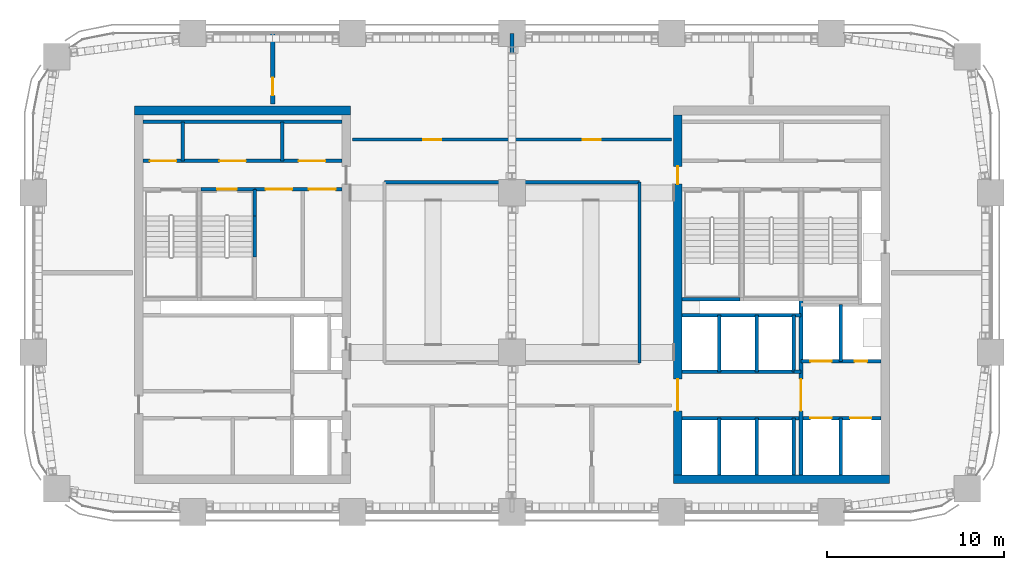
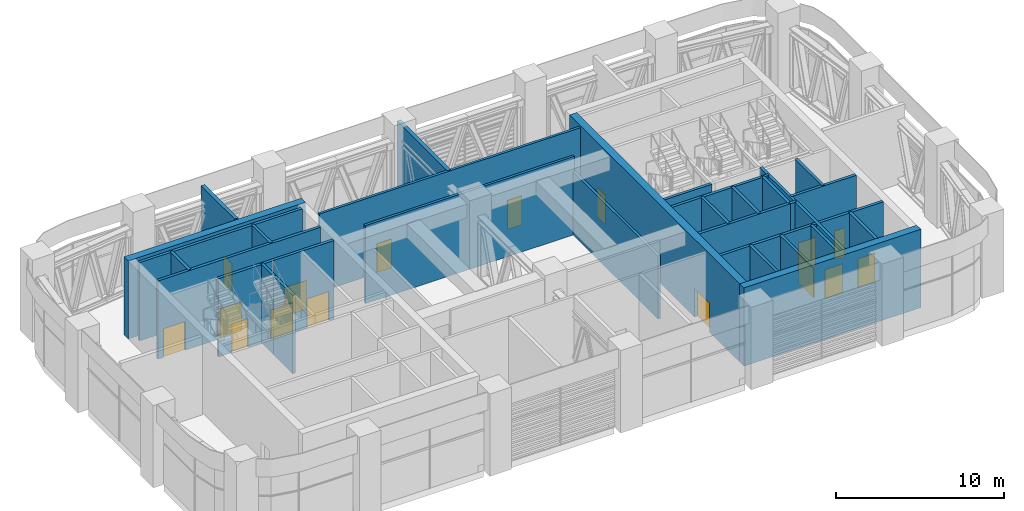
# One storey, part 13 of 19: 31 walls, 16 doors, 16 openings.
"""IFC4 building model written with IfcOpenShell, lengths in metres."""

from ifc_helpers import new_model, si_unit, direction, frame, frame_2d, origin, place, context, subcontext, project, spatial, rectangle, extrude, material, layer, layer_set, type_object, element, fill, save


model = new_model("IFC4")

# Units and contexts
model_context = context("Model", 3, precision=1e-05, world=origin(), true_north=direction((0.0, 1.0)))
body_context = subcontext(model_context, "Body", "Model", "MODEL_VIEW")
ifc_project = project(units=[si_unit("LENGTHUNIT", "METRE"), si_unit("AREAUNIT", "SQUARE_METRE"), si_unit("VOLUMEUNIT", "CUBIC_METRE"), si_unit("PLANEANGLEUNIT", "RADIAN"), si_unit("MASSUNIT", "GRAM", prefix="KILO")], contexts=[model_context])

# Site, building, storey
site_placement = place(None, origin())
site = spatial("IfcSite", under=ifc_project, at=site_placement, CompositionType="ELEMENT")
building_placement = place(site_placement, origin())
building = spatial("IfcBuilding", under=site, at=building_placement, Name="Tessera Arch", CompositionType="ELEMENT")
storey_placement = place(building_placement, frame((0.0, 0.0, 197.300048828125)))
storey = spatial("IfcBuildingStorey", under=building, at=storey_placement, Name="L47", CompositionType="ELEMENT", Elevation=197.300048828125)

# Walls
ifc_material_1 = material(Name="Gypsum board on steel stud", Category="steel")
ifc_layer_1 = layer(ifc_material_1, 0.125)
ifc_layer_set_1 = layer_set([ifc_layer_1], Name="Core partition 125 EI 60")
wall_type_1 = type_object("IfcWallType", Name="Core partition 125 EI 60", PredefinedType="PARTITIONING", material=ifc_layer_set_1)
wall_1_placement = place(storey_placement, frame((42.89990234375, 34.89990234375, 0.0), z_axis=(0.0, 0.0, 1.0), x_axis=(1.0, 0.0, 0.0)))
element("IfcWall", 1, at=wall_1_placement, inside=storey, type_object=wall_type_1, Name="L47 C1 partition wall 22", PredefinedType="PARTITIONING", context=body_context, shape_type="SweptSolid", body=[
    extrude(rectangle(XDim=0.400146484375, YDim=0.199951171875, at=frame_2d((0.2001953125, 0.0))), origin(), (0.0, 0.0, 1.0), 5.699951171875),
])
for number, where, z_axis, x_axis, name in (
    (2, (8.43994140625, 46.800048828125, 0.0), (0.0, 0.0, 1.0), (0.0, 1.0, 0.0), "L47 C2 partition wall 1"),
    (3, (14.0400390625, 46.800048828125, 0.0), (0.0, 0.0, 1.0), (0.0, 1.0, 0.0), "L47 C2 partition wall 9"),
):
    element("IfcWall", number, at=place(storey_placement, frame(where, z_axis=z_axis, x_axis=x_axis)), inside=storey, type_object=wall_type_1, Name=name, PredefinedType="PARTITIONING", context=body_context, shape_type="SweptSolid", body=[
        extrude(rectangle(XDim=2.199951171875, YDim=0.199951171875, at=frame_2d((1.10009765625, 0.0))), origin(), (0.0, 0.0, 1.0), 5.699951171875),
    ])

# Wall, openings, doors
wall_2_placement = place(storey_placement, frame((12.5, 45.199951171875, 0.0), z_axis=(0.0, 0.0, 1.0), x_axis=(1.0, 0.0, 0.0)))
wall_2 = element("IfcWall", 4, at=wall_2_placement, inside=storey, type_object=wall_type_1, Name="L47 C2 partition wall 25", PredefinedType="PARTITIONING", context=body_context, shape_type="SweptSolid", body=[
    extrude(rectangle(XDim=4.89990234375, YDim=0.199951171875, at=frame_2d((2.449951171875, 0.0))), origin(), (0.0, 0.0, 1.0), 5.699951171875),
])
opening_1_placement = place(wall_2_placement, frame((0.597412109375, 0.0, 0.0)))
opening_1 = element("IfcOpeningElement", 5, at=opening_1_placement, cuts=wall_2, Name="Opening L47-C25", PredefinedType="OPENING", context=body_context, shape_type="SweptSolid", body=[
    extrude(rectangle(XDim=1.5, YDim=2.10009765625, at=frame_2d((0.75, 1.050048828125))), frame((0.0, 0.10986328125, 0.0), z_axis=(0.0, -1.0, 0.0), x_axis=(1.0, 0.0, 0.0)), (0.0, 0.0, 1.0), 0.219970703125),
])
opening_2_placement = place(wall_2_placement, frame((3.047607421875, 0.0, 0.0)))
opening_2 = element("IfcOpeningElement", 6, at=opening_2_placement, cuts=wall_2, Name="Opening L47-C26", PredefinedType="OPENING", context=body_context, shape_type="SweptSolid", body=[
    extrude(rectangle(XDim=1.5, YDim=2.10009765625, at=frame_2d((0.75, 1.050048828125))), frame((0.0, 0.10986328125, 0.0), z_axis=(0.0, -1.0, 0.0), x_axis=(1.0, 0.0, 0.0)), (0.0, 0.0, 1.0), 0.219970703125),
])
ifc_material_2 = material(Name="Steel door leaf", Category="steel")
door_type_1 = type_object("IfcDoorType", Name="Plant door FD60 1500 x 2100", OperationType="DOUBLE_DOOR_SINGLE_SWING", PredefinedType="DOOR", material=ifc_material_2)
door_1_placement = place(opening_1_placement, origin())
door_1 = element("IfcDoor", 7, at=door_1_placement, inside=storey, type_object=door_type_1, Name="L47 C2 door 12 C25 type D08", OperationType="DOUBLE_DOOR_SINGLE_SWING", OverallHeight=2.10009765625, OverallWidth=1.5, PredefinedType="DOOR", context=body_context, shape_type="SweptSolid", body=[
    extrude(rectangle(XDim=1.5, YDim=2.10009765625, at=frame_2d((0.75, 1.050048828125))), frame((0.0, 0.02490234375, 0.0), z_axis=(0.0, -1.0, 0.0), x_axis=(1.0, 0.0, 0.0)), (0.0, 0.0, 1.0), 0.050048828125),
])
fill(opening_1, door_1)
door_2_placement = place(opening_2_placement, origin())
door_2 = element("IfcDoor", 8, at=door_2_placement, inside=storey, type_object=door_type_1, Name="L47 C2 door 13 C26 type D08", OperationType="DOUBLE_DOOR_SINGLE_SWING", OverallHeight=2.10009765625, OverallWidth=1.5, PredefinedType="DOOR", context=body_context, shape_type="SweptSolid", body=[
    extrude(rectangle(XDim=1.5, YDim=2.10009765625, at=frame_2d((0.75, 1.050048828125))), frame((0.0, 0.02490234375, 0.0), z_axis=(0.0, -1.0, 0.0), x_axis=(1.0, 0.0, 0.0)), (0.0, 0.0, 1.0), 0.050048828125),
])
fill(opening_2, door_2)

wall_3_placement = place(storey_placement, frame((6.199951171875, 46.800048828125, 0.0), z_axis=(0.0, 0.0, 1.0), x_axis=(1.0, 0.0, 0.0)))
wall_3 = element("IfcWall", 9, at=wall_3_placement, inside=storey, type_object=wall_type_1, Name="L47 C2 partition wall 29", PredefinedType="PARTITIONING", context=body_context, shape_type="SweptSolid", body=[
    extrude(rectangle(XDim=11.199951171875, YDim=0.199951171875, at=frame_2d((5.60009765625, 0.0))), origin(), (0.0, 0.0, 1.0), 5.699951171875),
])
opening_3_placement = place(wall_3_placement, frame((0.3701171875, 0.0, 0.0)))
opening_3 = element("IfcOpeningElement", 10, at=opening_3_placement, cuts=wall_3, Name="Opening L47-C22", PredefinedType="OPENING", context=body_context, shape_type="SweptSolid", body=[
    extrude(rectangle(XDim=1.5, YDim=2.10009765625, at=frame_2d((0.75, 1.050048828125))), frame((0.0, 0.10986328125, 0.0), z_axis=(0.0, -1.0, 0.0), x_axis=(1.0, 0.0, 0.0)), (0.0, 0.0, 1.0), 0.219970703125),
])
opening_4_placement = place(wall_3_placement, frame((4.2900390625, 0.0, 0.0)))
opening_4 = element("IfcOpeningElement", 11, at=opening_4_placement, cuts=wall_3, Name="Opening L47-C23", PredefinedType="OPENING", context=body_context, shape_type="SweptSolid", body=[
    extrude(rectangle(XDim=1.5, YDim=2.10009765625, at=frame_2d((0.75, 1.050048828125))), frame((0.0, 0.10986328125, 0.0), z_axis=(0.0, -1.0, 0.0), x_axis=(1.0, 0.0, 0.0)), (0.0, 0.0, 1.0), 0.219970703125),
])
opening_5_placement = place(wall_3_placement, frame((8.77001953125, 0.0, 0.0)))
opening_5 = element("IfcOpeningElement", 12, at=opening_5_placement, cuts=wall_3, Name="Opening L47-C24", PredefinedType="OPENING", context=body_context, shape_type="SweptSolid", body=[
    extrude(rectangle(XDim=1.5, YDim=2.10009765625, at=frame_2d((0.75, 1.050048828125))), frame((0.0, 0.10986328125, 0.0), z_axis=(0.0, -1.0, 0.0), x_axis=(1.0, 0.0, 0.0)), (0.0, 0.0, 1.0), 0.219970703125),
])
door_3_placement = place(opening_3_placement, origin())
door_3 = element("IfcDoor", 13, at=door_3_placement, inside=storey, type_object=door_type_1, Name="L47 C2 door 9 C22 type D08", OperationType="DOUBLE_DOOR_SINGLE_SWING", OverallHeight=2.10009765625, OverallWidth=1.5, PredefinedType="DOOR", context=body_context, shape_type="SweptSolid", body=[
    extrude(rectangle(XDim=1.5, YDim=2.10009765625, at=frame_2d((0.75, 1.050048828125))), frame((0.0, 0.02490234375, 0.0), z_axis=(0.0, -1.0, 0.0), x_axis=(1.0, 0.0, 0.0)), (0.0, 0.0, 1.0), 0.050048828125),
])
fill(opening_3, door_3)
door_4_placement = place(opening_4_placement, origin())
door_4 = element("IfcDoor", 14, at=door_4_placement, inside=storey, type_object=door_type_1, Name="L47 C2 door 10 C23 type D08", OperationType="DOUBLE_DOOR_SINGLE_SWING", OverallHeight=2.10009765625, OverallWidth=1.5, PredefinedType="DOOR", context=body_context, shape_type="SweptSolid", body=[
    extrude(rectangle(XDim=1.5, YDim=2.10009765625, at=frame_2d((0.75, 1.050048828125))), frame((0.0, 0.02490234375, 0.0), z_axis=(0.0, -1.0, 0.0), x_axis=(1.0, 0.0, 0.0)), (0.0, 0.0, 1.0), 0.050048828125),
])
fill(opening_4, door_4)
door_5_placement = place(opening_5_placement, origin())
door_5 = element("IfcDoor", 15, at=door_5_placement, inside=storey, type_object=door_type_1, Name="L47 C2 door 11 C24 type D08", OperationType="DOUBLE_DOOR_SINGLE_SWING", OverallHeight=2.10009765625, OverallWidth=1.5, PredefinedType="DOOR", context=body_context, shape_type="SweptSolid", body=[
    extrude(rectangle(XDim=1.5, YDim=2.10009765625, at=frame_2d((0.75, 1.050048828125))), frame((0.0, 0.02490234375, 0.0), z_axis=(0.0, -1.0, 0.0), x_axis=(1.0, 0.0, 0.0)), (0.0, 0.0, 1.0), 0.050048828125),
])
fill(opening_5, door_5)

# Walls
wall_4_placement = place(storey_placement, frame((6.199951171875, 49.0, 0.0), z_axis=(0.0, 0.0, 1.0), x_axis=(1.0, 0.0, 0.0)))
element("IfcWall", 16, at=wall_4_placement, inside=storey, type_object=wall_type_1, Name="L47 C2 partition wall 30", PredefinedType="PARTITIONING", context=body_context, shape_type="SweptSolid", body=[
    extrude(rectangle(XDim=11.199951171875, YDim=0.199951171875, at=frame_2d((5.60009765625, 0.0))), origin(), (0.0, 0.0, 1.0), 5.699951171875),
])
ifc_material_3 = material(Name="Concrete C60/75", Category="concrete")
ifc_layer_2 = layer(ifc_material_3, 0.5)
ifc_layer_set_2 = layer_set([ifc_layer_2], Name="Core shell wall 500 C60-75")
wall_type_2 = type_object("IfcWallType", Name="Core shell wall 500 C60-75", PredefinedType="SHEAR", material=ifc_layer_set_2)
wall_5_placement = place(storey_placement, frame((36.10009765625, 28.85009765625, 0.0), z_axis=(0.0, 0.0, 1.0), x_axis=(1.0, 0.0, 0.0)))
element("IfcWall", 17, at=wall_5_placement, inside=storey, type_object=wall_type_2, Name="L47 C1 core wall S", PredefinedType="SHEAR", context=body_context, shape_type="SweptSolid", body=[
    extrude(rectangle(XDim=12.199951171875, YDim=0.5, at=frame_2d((6.10009765625, 0.0))), origin(), (0.0, 0.0, 1.0), 5.699951171875),
])

# Wall, openings, doors
wall_6_placement = place(storey_placement, frame((36.35009765625, 29.10009765625, 0.0), z_axis=(0.0, 0.0, 1.0), x_axis=(0.0, 1.0, 0.0)))
wall_6 = element("IfcWall", 18, at=wall_6_placement, inside=storey, type_object=wall_type_2, Name="L47 C1 core wall W", PredefinedType="SHEAR", context=body_context, shape_type="SweptSolid", body=[
    extrude(rectangle(XDim=20.2998046875, YDim=0.5, at=frame_2d((10.14990234375, 0.0))), origin(), (0.0, 0.0, 1.0), 5.699951171875),
])
opening_6_placement = place(wall_6_placement, frame((3.60009765625, 0.0, 0.0)))
opening_6 = element("IfcOpeningElement", 19, at=opening_6_placement, cuts=wall_6, Name="Opening L47-C04", PredefinedType="OPENING", context=body_context, shape_type="SweptSolid", body=[
    extrude(rectangle(XDim=1.800048828125, YDim=2.10009765625, at=frame_2d((0.89990234375, 1.050048828125))), frame((0.0, 0.260009765625, 0.0), z_axis=(0.0, -1.0, 0.0), x_axis=(1.0, 0.0, 0.0)), (0.0, 0.0, 1.0), 0.52001953125),
])
opening_7_placement = place(wall_6_placement, frame((16.39990234375, 0.0, 0.0)))
opening_7 = element("IfcOpeningElement", 20, at=opening_7_placement, cuts=wall_6, Name="Opening L47-C11", PredefinedType="OPENING", context=body_context, shape_type="SweptSolid", body=[
    extrude(rectangle(XDim=1.0, YDim=2.10009765625, at=frame_2d((0.5, 1.050048828125))), frame((0.0, 0.260009765625, 0.0), z_axis=(0.0, -1.0, 0.0), x_axis=(1.0, 0.0, 0.0)), (0.0, 0.0, 1.0), 0.52001953125),
])
ifc_material_4 = material(Name="Steel door leaf", Category="steel")
door_type_2 = type_object("IfcDoorType", Name="Corridor door FD60 1000 x 2100", OperationType="SINGLE_SWING_LEFT", PredefinedType="DOOR", material=ifc_material_4)
door_6_placement = place(opening_7_placement, origin())
door_6 = element("IfcDoor", 21, at=door_6_placement, inside=storey, type_object=door_type_2, Name="L47 C1 door 11 C11 type D12", OperationType="SINGLE_SWING_RIGHT", OverallHeight=2.10009765625, OverallWidth=1.0, PredefinedType="DOOR", context=body_context, shape_type="SweptSolid", body=[
    extrude(rectangle(XDim=1.0, YDim=2.10009765625, at=frame_2d((0.5, 1.050048828125))), frame((0.0, 0.02490234375, 0.0), z_axis=(0.0, -1.0, 0.0), x_axis=(1.0, 0.0, 0.0)), (0.0, 0.0, 1.0), 0.050048828125),
])
fill(opening_7, door_6)
ifc_material_5 = material(Name="Glazed steel door leaf", Category="steel")
door_type_3 = type_object("IfcDoorType", Name="Lobby double door FD60 1800 x 2100", OperationType="DOUBLE_DOOR_SINGLE_SWING", PredefinedType="DOOR", material=ifc_material_5)
door_7_placement = place(opening_6_placement, origin())
door_7 = element("IfcDoor", 22, at=door_7_placement, inside=storey, type_object=door_type_3, Name="L47 C1 door 4 C04 type D19", OperationType="DOUBLE_DOOR_SINGLE_SWING", OverallHeight=2.10009765625, OverallWidth=1.800048828125, PredefinedType="DOOR", context=body_context, shape_type="SweptSolid", body=[
    extrude(rectangle(XDim=1.800048828125, YDim=2.10009765625, at=frame_2d((0.89990234375, 1.050048828125))), frame((0.0, 0.02490234375, 0.0), z_axis=(0.0, -1.0, 0.0), x_axis=(1.0, 0.0, 0.0)), (0.0, 0.0, 1.0), 0.050048828125),
])
fill(opening_6, door_7)

# Walls
wall_7_placement = place(storey_placement, frame((5.699951171875, 49.64990234375, 0.0), z_axis=(0.0, 0.0, 1.0), x_axis=(1.0, 0.0, 0.0)))
element("IfcWall", 23, at=wall_7_placement, inside=storey, type_object=wall_type_2, Name="L47 C2 core wall N", PredefinedType="SHEAR", context=body_context, shape_type="SweptSolid", body=[
    extrude(rectangle(XDim=12.199951171875, YDim=0.5, at=frame_2d((6.10009765625, 0.0))), origin(), (0.0, 0.0, 1.0), 5.699951171875),
])
ifc_material_6 = material(Name="Gypsum board on deep steel stud with mineral wool", Category="steel")
ifc_layer_3 = layer(ifc_material_6, 0.175048828125)
ifc_layer_set_3 = layer_set([ifc_layer_3], Name="Corridor wall 175 EI 60")
wall_type_3 = type_object("IfcWallType", Name="Corridor wall 175 EI 60", PredefinedType="PARTITIONING", material=ifc_layer_set_3)
wall_8_placement = place(storey_placement, frame((19.800048828125, 45.60009765625, 0.0), z_axis=(0.0, 0.0, 1.0), x_axis=(1.0, 0.0, 0.0)))
element("IfcWall", 24, at=wall_8_placement, inside=storey, type_object=wall_type_3, Name="L47 partition 3", PredefinedType="PARTITIONING", context=body_context, shape_type="SweptSolid", body=[
    extrude(rectangle(XDim=14.39990234375, YDim=0.175048828125, at=frame_2d((7.199951171875, 0.0))), origin(), (0.0, 0.0, 1.0), 5.699951171875),
])

# Wall, openings, doors
wall_9_placement = place(storey_placement, frame((18.0, 48.0, 0.0), z_axis=(0.0, 0.0, 1.0), x_axis=(1.0, 0.0, 0.0)))
wall_9 = element("IfcWall", 25, at=wall_9_placement, inside=storey, type_object=wall_type_3, Name="L47 partition 4", PredefinedType="PARTITIONING", context=body_context, shape_type="SweptSolid", body=[
    extrude(rectangle(XDim=18.0, YDim=0.175048828125, at=frame_2d((9.0, 0.0))), origin(), (0.0, 0.0, 1.0), 5.699951171875),
])
opening_8_placement = place(wall_9_placement, frame((4.0, 0.0, 0.0)))
opening_8 = element("IfcOpeningElement", 26, at=opening_8_placement, cuts=wall_9, Name="Opening L47-D002", PredefinedType="OPENING", context=body_context, shape_type="SweptSolid", body=[
    extrude(rectangle(XDim=1.0, YDim=2.10009765625, at=frame_2d((0.5, 1.050048828125))), frame((0.0, 0.097412109375, 0.0), z_axis=(0.0, -1.0, 0.0), x_axis=(1.0, 0.0, 0.0)), (0.0, 0.0, 1.0), 0.195068359375),
])
opening_9_placement = place(wall_9_placement, frame((13.0, 0.0, 0.0)))
opening_9 = element("IfcOpeningElement", 27, at=opening_9_placement, cuts=wall_9, Name="Opening L47-D004", PredefinedType="OPENING", context=body_context, shape_type="SweptSolid", body=[
    extrude(rectangle(XDim=1.0, YDim=2.10009765625, at=frame_2d((0.5, 1.050048828125))), frame((0.0, 0.097412109375, 0.0), z_axis=(0.0, -1.0, 0.0), x_axis=(1.0, 0.0, 0.0)), (0.0, 0.0, 1.0), 0.195068359375),
])
ifc_material_7 = material(Name="Fire-rated door leaf")
door_type_4 = type_object("IfcDoorType", Name="Entrance door FD60 1000 x 2100", OperationType="SINGLE_SWING_LEFT", PredefinedType="DOOR", material=ifc_material_7)
door_8_placement = place(opening_8_placement, origin())
door_8 = element("IfcDoor", 28, at=door_8_placement, inside=storey, type_object=door_type_4, Name="L47 door D002 type D16", OperationType="SINGLE_SWING_RIGHT", OverallHeight=2.10009765625, OverallWidth=1.0, PredefinedType="DOOR", context=body_context, shape_type="SweptSolid", body=[
    extrude(rectangle(XDim=1.0, YDim=2.10009765625, at=frame_2d((0.5, 1.050048828125))), frame((0.0, 0.02490234375, 0.0), z_axis=(0.0, -1.0, 0.0), x_axis=(1.0, 0.0, 0.0)), (0.0, 0.0, 1.0), 0.050048828125),
])
fill(opening_8, door_8)
door_9_placement = place(opening_9_placement, origin())
door_9 = element("IfcDoor", 29, at=door_9_placement, inside=storey, type_object=door_type_4, Name="L47 door D004 type D16", OperationType="SINGLE_SWING_RIGHT", OverallHeight=2.10009765625, OverallWidth=1.0, PredefinedType="DOOR", context=body_context, shape_type="SweptSolid", body=[
    extrude(rectangle(XDim=1.0, YDim=2.10009765625, at=frame_2d((0.5, 1.050048828125))), frame((0.0, 0.02490234375, 0.0), z_axis=(0.0, -1.0, 0.0), x_axis=(1.0, 0.0, 0.0)), (0.0, 0.0, 1.0), 0.050048828125),
])
fill(opening_9, door_9)

# Wall
wall_10_placement = place(storey_placement, frame((34.199951171875, 35.39990234375, 0.0), z_axis=(0.0, 0.0, 1.0), x_axis=(0.0, 1.0, 0.0)))
element("IfcWall", 30, at=wall_10_placement, inside=storey, type_object=wall_type_3, Name="L47 partition 6", PredefinedType="PARTITIONING", context=body_context, shape_type="SweptSolid", body=[
    extrude(rectangle(XDim=10.2001953125, YDim=0.175048828125, at=frame_2d((5.10009765625, 0.0))), origin(), (0.0, 0.0, 1.0), 4.58984375),
])

# Wall, opening, door
ifc_material_8 = material(Name="Double gypsum board on twin steel stud with acoustic mineral wool", Category="steel")
ifc_layer_4 = layer(ifc_material_8, 0.25)
ifc_layer_set_4 = layer_set([ifc_layer_4], Name="Party wall 250 EI 60")
wall_type_4 = type_object("IfcWallType", Name="Party wall 250 EI 60", PredefinedType="PARTITIONING", material=ifc_layer_set_4)
wall_11_placement = place(storey_placement, frame((13.5, 50.0, 0.0), z_axis=(0.0, 0.0, 1.0), x_axis=(0.0, 1.0, 0.0)))
wall_11 = element("IfcWall", 31, at=wall_11_placement, inside=storey, type_object=wall_type_4, Name="L47 partition 9", PredefinedType="PARTITIONING", context=body_context, shape_type="SweptSolid", body=[
    extrude(rectangle(XDim=4.0, YDim=0.25, at=frame_2d((2.0, 0.0))), origin(), (0.0, 0.0, 1.0), 5.699951171875),
])
opening_10_placement = place(wall_11_placement, frame((0.5, 0.0, 0.0)))
opening_10 = element("IfcOpeningElement", 32, at=opening_10_placement, cuts=wall_11, Name="Opening L47-D007", PredefinedType="OPENING", context=body_context, shape_type="SweptSolid", body=[
    extrude(rectangle(XDim=1.0, YDim=2.10009765625, at=frame_2d((0.5, 1.050048828125))), frame((0.0, 0.135009765625, 0.0), z_axis=(0.0, -1.0, 0.0), x_axis=(1.0, 0.0, 0.0)), (0.0, 0.0, 1.0), 0.27001953125),
])
door_10_placement = place(opening_10_placement, origin())
door_10 = element("IfcDoor", 33, at=door_10_placement, inside=storey, type_object=door_type_4, Name="L47 door D007 type D16", OperationType="SINGLE_SWING_RIGHT", OverallHeight=2.10009765625, OverallWidth=1.0, PredefinedType="DOOR", context=body_context, shape_type="SweptSolid", body=[
    extrude(rectangle(XDim=1.0, YDim=2.10009765625, at=frame_2d((0.5, 1.050048828125))), frame((0.0, 0.02490234375, 0.0), z_axis=(0.0, -1.0, 0.0), x_axis=(1.0, 0.0, 0.0)), (0.0, 0.0, 1.0), 0.050048828125),
])
fill(opening_10, door_10)

# Walls
wall_12_placement = place(storey_placement, frame((27.0, 48.0, 0.0), z_axis=(0.0, 0.0, 1.0), x_axis=(0.0, 1.0, 0.0)))
element("IfcWall", 34, at=wall_12_placement, inside=storey, type_object=wall_type_4, Name="L47 partition 12", PredefinedType="PARTITIONING", context=body_context, shape_type="SweptSolid", body=[
    extrude(rectangle(XDim=6.0, YDim=0.25, at=frame_2d((3.0, 0.0))), origin(), (0.0, 0.0, 1.0), 5.699951171875),
])
ifc_material_9 = material(Name="Concrete C40/50", Category="concrete")
ifc_layer_5 = layer(ifc_material_9, 0.199951171875)
ifc_layer_set_5 = layer_set([ifc_layer_5], Name="Shaft wall 200 EI 120")
wall_type_5 = type_object("IfcWallType", Name="Shaft wall 200 EI 120", PredefinedType="SOLIDWALL", material=ifc_layer_set_5)
wall_13_placement = place(storey_placement, frame((38.699951171875, 29.10009765625, 0.0), z_axis=(0.0, 0.0, 1.0), x_axis=(0.0, 1.0, 0.0)))
element("IfcWall", 35, at=wall_13_placement, inside=storey, type_object=wall_type_5, Name="L47 C1 shaft wall 1", PredefinedType="SOLIDWALL", context=body_context, shape_type="SweptSolid", body=[
    extrude(rectangle(XDim=3.199951171875, YDim=0.199951171875, at=frame_2d((1.60009765625, 0.0))), origin(), (0.0, 0.0, 1.0), 5.699951171875),
])
wall_14_placement = place(storey_placement, frame((38.699951171875, 34.89990234375, 0.0), z_axis=(0.0, 0.0, 1.0), x_axis=(0.0, 1.0, 0.0)))
element("IfcWall", 36, at=wall_14_placement, inside=storey, type_object=wall_type_5, Name="L47 C1 shaft wall 2", PredefinedType="SOLIDWALL", context=body_context, shape_type="SweptSolid", body=[
    extrude(rectangle(XDim=3.2001953125, YDim=0.199951171875, at=frame_2d((1.60009765625, 0.0))), origin(), (0.0, 0.0, 1.0), 5.699951171875),
])
wall_15_placement = place(storey_placement, frame((40.800048828125, 29.10009765625, 0.0), z_axis=(0.0, 0.0, 1.0), x_axis=(0.0, 1.0, 0.0)))
element("IfcWall", 37, at=wall_15_placement, inside=storey, type_object=wall_type_5, Name="L47 C1 shaft wall 6", PredefinedType="SOLIDWALL", context=body_context, shape_type="SweptSolid", body=[
    extrude(rectangle(XDim=3.199951171875, YDim=0.199951171875, at=frame_2d((1.60009765625, 0.0))), origin(), (0.0, 0.0, 1.0), 5.699951171875),
])
wall_16_placement = place(storey_placement, frame((40.800048828125, 34.89990234375, 0.0), z_axis=(0.0, 0.0, 1.0), x_axis=(0.0, 1.0, 0.0)))
element("IfcWall", 38, at=wall_16_placement, inside=storey, type_object=wall_type_5, Name="L47 C1 shaft wall 7", PredefinedType="SOLIDWALL", context=body_context, shape_type="SweptSolid", body=[
    extrude(rectangle(XDim=3.2001953125, YDim=0.199951171875, at=frame_2d((1.60009765625, 0.0))), origin(), (0.0, 0.0, 1.0), 5.699951171875),
])
wall_17_placement = place(storey_placement, frame((42.89990234375, 29.10009765625, 0.0), z_axis=(0.0, 0.0, 1.0), x_axis=(0.0, 1.0, 0.0)))
element("IfcWall", 39, at=wall_17_placement, inside=storey, type_object=wall_type_5, Name="L47 C1 shaft wall 9", PredefinedType="SOLIDWALL", context=body_context, shape_type="SweptSolid", body=[
    extrude(rectangle(XDim=3.199951171875, YDim=0.199951171875, at=frame_2d((1.60009765625, 0.0))), origin(), (0.0, 0.0, 1.0), 5.699951171875),
])
wall_18_placement = place(storey_placement, frame((42.89990234375, 34.89990234375, 0.0), z_axis=(0.0, 0.0, 1.0), x_axis=(0.0, 1.0, 0.0)))
element("IfcWall", 40, at=wall_18_placement, inside=storey, type_object=wall_type_5, Name="L47 C1 shaft wall 10", PredefinedType="SOLIDWALL", context=body_context, shape_type="SweptSolid", body=[
    extrude(rectangle(XDim=3.2001953125, YDim=0.199951171875, at=frame_2d((1.60009765625, 0.0))), origin(), (0.0, 0.0, 1.0), 5.699951171875),
])

# Wall, opening, door
wall_19_placement = place(storey_placement, frame((43.300048828125, 29.10009765625, 0.0), z_axis=(0.0, 0.0, 1.0), x_axis=(0.0, 1.0, 0.0)))
wall_19 = element("IfcWall", 41, at=wall_19_placement, inside=storey, type_object=wall_type_5, Name="L47 C1 shaft wall 11", PredefinedType="SOLIDWALL", context=body_context, shape_type="SweptSolid", body=[
    extrude(rectangle(XDim=9.89990234375, YDim=0.199951171875, at=frame_2d((4.949951171875, 0.0))), origin(), (0.0, 0.0, 1.0), 5.699951171875),
])
opening_11_placement = place(wall_19_placement, frame((3.60009765625, 0.0, 0.0)))
opening_11 = element("IfcOpeningElement", 42, at=opening_11_placement, cuts=wall_19, Name="Opening L47-C09", PredefinedType="OPENING", context=body_context, shape_type="SweptSolid", body=[
    extrude(rectangle(XDim=1.800048828125, YDim=2.10009765625, at=frame_2d((0.89990234375, 1.050048828125))), frame((0.0, 0.10986328125, 0.0), z_axis=(0.0, -1.0, 0.0), x_axis=(1.0, 0.0, 0.0)), (0.0, 0.0, 1.0), 0.219970703125),
])
door_11_placement = place(opening_11_placement, origin())
door_11 = element("IfcDoor", 43, at=door_11_placement, inside=storey, type_object=door_type_3, Name="L47 C1 door 9 C09 type D19", OperationType="DOUBLE_DOOR_SINGLE_SWING", OverallHeight=2.10009765625, OverallWidth=1.800048828125, PredefinedType="DOOR", context=body_context, shape_type="SweptSolid", body=[
    extrude(rectangle(XDim=1.800048828125, YDim=2.10009765625, at=frame_2d((0.89990234375, 1.050048828125))), frame((0.0, 0.02490234375, 0.0), z_axis=(0.0, -1.0, 0.0), x_axis=(1.0, 0.0, 0.0)), (0.0, 0.0, 1.0), 0.050048828125),
])
fill(opening_11, door_11)

# Walls
for number, where, z_axis, x_axis, name in (
    (44, (45.550048828125, 29.10009765625, 0.0), (0.0, 0.0, 1.0), (0.0, 1.0, 0.0), "L47 C1 shaft wall 15"),
    (45, (45.550048828125, 35.5, 0.0), (0.0, 0.0, 1.0), (0.0, 1.0, 0.0), "L47 C1 shaft wall 16"),
):
    element("IfcWall", number, at=place(storey_placement, frame(where, z_axis=z_axis, x_axis=x_axis)), inside=storey, type_object=wall_type_5, Name=name, PredefinedType="SOLIDWALL", context=body_context, shape_type="SweptSolid", body=[
        extrude(rectangle(XDim=3.199951171875, YDim=0.199951171875, at=frame_2d((1.60009765625, 0.0))), origin(), (0.0, 0.0, 1.0), 5.699951171875),
    ])

# Wall, openings, doors
wall_20_placement = place(storey_placement, frame((36.60009765625, 32.300048828125, 0.0), z_axis=(0.0, 0.0, 1.0), x_axis=(1.0, 0.0, 0.0)))
wall_20 = element("IfcWall", 46, at=wall_20_placement, inside=storey, type_object=wall_type_5, Name="L47 C1 shaft wall 21", PredefinedType="SOLIDWALL", context=body_context, shape_type="SweptSolid", body=[
    extrude(rectangle(XDim=11.199951171875, YDim=0.199951171875, at=frame_2d((5.60009765625, 0.0))), origin(), (0.0, 0.0, 1.0), 5.699951171875),
])
opening_12_placement = place(wall_20_placement, frame((7.22509765625, 0.0, 0.0)))
opening_12 = element("IfcOpeningElement", 47, at=opening_12_placement, cuts=wall_20, Name="Opening L47-C01", PredefinedType="OPENING", context=body_context, shape_type="SweptSolid", body=[
    extrude(rectangle(XDim=1.199951171875, YDim=2.10009765625, at=frame_2d((0.60009765625, 1.050048828125))), frame((0.0, 0.10986328125, 0.0), z_axis=(0.0, -1.0, 0.0), x_axis=(1.0, 0.0, 0.0)), (0.0, 0.0, 1.0), 0.219970703125),
])
opening_13_placement = place(wall_20_placement, frame((9.47509765625, 0.0, 0.0)))
opening_13 = element("IfcOpeningElement", 48, at=opening_13_placement, cuts=wall_20, Name="Opening L47-C02", PredefinedType="OPENING", context=body_context, shape_type="SweptSolid", body=[
    extrude(rectangle(XDim=1.199951171875, YDim=2.10009765625, at=frame_2d((0.60009765625, 1.050048828125))), frame((0.0, 0.10986328125, 0.0), z_axis=(0.0, -1.0, 0.0), x_axis=(1.0, 0.0, 0.0)), (0.0, 0.0, 1.0), 0.219970703125),
])
ifc_material_10 = material(Name="Stainless steel AISI 304", Category="steel")
door_type_5 = type_object("IfcDoorType", Name="Sliding landing door 1200 x 2100", OperationType="SLIDING_TO_LEFT", PredefinedType="DOOR", material=ifc_material_10)
door_12_placement = place(opening_12_placement, origin())
door_12 = element("IfcDoor", 49, at=door_12_placement, inside=storey, type_object=door_type_5, Name="L47 FF1 lift landing door C01 type LD", OperationType="SLIDING_TO_LEFT", OverallHeight=2.10009765625, OverallWidth=1.199951171875, PredefinedType="DOOR", context=body_context, shape_type="SweptSolid", body=[
    extrude(rectangle(XDim=1.199951171875, YDim=2.10009765625, at=frame_2d((0.60009765625, 1.050048828125))), frame((0.0, 0.02490234375, 0.0), z_axis=(0.0, -1.0, 0.0), x_axis=(1.0, 0.0, 0.0)), (0.0, 0.0, 1.0), 0.050048828125),
])
fill(opening_12, door_12)
door_13_placement = place(opening_13_placement, origin())
door_13 = element("IfcDoor", 50, at=door_13_placement, inside=storey, type_object=door_type_5, Name="L47 FF2 lift landing door C02 type LD", OperationType="SLIDING_TO_LEFT", OverallHeight=2.10009765625, OverallWidth=1.199951171875, PredefinedType="DOOR", context=body_context, shape_type="SweptSolid", body=[
    extrude(rectangle(XDim=1.199951171875, YDim=2.10009765625, at=frame_2d((0.60009765625, 1.050048828125))), frame((0.0, 0.02490234375, 0.0), z_axis=(0.0, -1.0, 0.0), x_axis=(1.0, 0.0, 0.0)), (0.0, 0.0, 1.0), 0.050048828125),
])
fill(opening_13, door_13)

# Wall
wall_21_placement = place(storey_placement, frame((36.60009765625, 34.89990234375, 0.0), z_axis=(0.0, 0.0, 1.0), x_axis=(1.0, 0.0, 0.0)))
element("IfcWall", 51, at=wall_21_placement, inside=storey, type_object=wall_type_5, Name="L47 C1 shaft wall 23", PredefinedType="SOLIDWALL", context=body_context, shape_type="SweptSolid", body=[
    extrude(rectangle(XDim=6.2998046875, YDim=0.199951171875, at=frame_2d((3.14990234375, 0.0))), origin(), (0.0, 0.0, 1.0), 5.699951171875),
])

# Wall, openings, doors
wall_22_placement = place(storey_placement, frame((43.300048828125, 35.5, 0.0), z_axis=(0.0, 0.0, 1.0), x_axis=(1.0, 0.0, 0.0)))
wall_22 = element("IfcWall", 52, at=wall_22_placement, inside=storey, type_object=wall_type_5, Name="L47 C1 shaft wall 24", PredefinedType="SOLIDWALL", context=body_context, shape_type="SweptSolid", body=[
    extrude(rectangle(XDim=4.5, YDim=0.199951171875, at=frame_2d((2.25, 0.0))), origin(), (0.0, 0.0, 1.0), 5.699951171875),
])
opening_14_placement = place(wall_22_placement, frame((0.52490234375, 0.0, 0.0)))
opening_14 = element("IfcOpeningElement", 53, at=opening_14_placement, cuts=wall_22, Name="Opening L47-C03", PredefinedType="OPENING", context=body_context, shape_type="SweptSolid", body=[
    extrude(rectangle(XDim=1.199951171875, YDim=2.10009765625, at=frame_2d((0.60009765625, 1.050048828125))), frame((0.0, 0.10986328125, 0.0), z_axis=(0.0, -1.0, 0.0), x_axis=(1.0, 0.0, 0.0)), (0.0, 0.0, 1.0), 0.219970703125),
])
opening_15_placement = place(wall_22_placement, frame((3.02490234375, 0.0, 0.0)))
opening_15 = element("IfcOpeningElement", 54, at=opening_15_placement, cuts=wall_22, Name="Opening L47-C10", PredefinedType="OPENING", context=body_context, shape_type="SweptSolid", body=[
    extrude(rectangle(XDim=0.699951171875, YDim=2.10009765625, at=frame_2d((0.35009765625, 1.050048828125))), frame((0.0, 0.10986328125, 0.0), z_axis=(0.0, -1.0, 0.0), x_axis=(1.0, 0.0, 0.0)), (0.0, 0.0, 1.0), 0.219970703125),
])
ifc_material_11 = material(Name="Steel door leaf", Category="steel")
door_type_6 = type_object("IfcDoorType", Name="Service shaft door FD60 700 x 2100", OperationType="SINGLE_SWING_LEFT", PredefinedType="DOOR", material=ifc_material_11)
door_14_placement = place(opening_15_placement, origin())
door_14 = element("IfcDoor", 55, at=door_14_placement, inside=storey, type_object=door_type_6, Name="L47 C1 door 10 C10 type D07", OperationType="SINGLE_SWING_RIGHT", OverallHeight=2.10009765625, OverallWidth=0.699951171875, PredefinedType="DOOR", context=body_context, shape_type="SweptSolid", body=[
    extrude(rectangle(XDim=0.699951171875, YDim=2.10009765625, at=frame_2d((0.35009765625, 1.050048828125))), frame((0.0, 0.02490234375, 0.0), z_axis=(0.0, -1.0, 0.0), x_axis=(1.0, 0.0, 0.0)), (0.0, 0.0, 1.0), 0.050048828125),
])
fill(opening_15, door_14)
door_15_placement = place(opening_14_placement, origin())
door_15 = element("IfcDoor", 56, at=door_15_placement, inside=storey, type_object=door_type_5, Name="L47 SV2 lift landing door C03 type LD", OperationType="SLIDING_TO_LEFT", OverallHeight=2.10009765625, OverallWidth=1.199951171875, PredefinedType="DOOR", context=body_context, shape_type="SweptSolid", body=[
    extrude(rectangle(XDim=1.199951171875, YDim=2.10009765625, at=frame_2d((0.60009765625, 1.050048828125))), frame((0.0, 0.02490234375, 0.0), z_axis=(0.0, -1.0, 0.0), x_axis=(1.0, 0.0, 0.0)), (0.0, 0.0, 1.0), 0.050048828125),
])
fill(opening_14, door_15)

# Walls
wall_23_placement = place(storey_placement, frame((36.60009765625, 38.10009765625, 0.0), z_axis=(0.0, 0.0, 1.0), x_axis=(1.0, 0.0, 0.0)))
element("IfcWall", 57, at=wall_23_placement, inside=storey, type_object=wall_type_5, Name="L47 C1 shaft wall 25", PredefinedType="SOLIDWALL", context=body_context, shape_type="SweptSolid", body=[
    extrude(rectangle(XDim=6.699951171875, YDim=0.199951171875, at=frame_2d((3.35009765625, 0.0))), origin(), (0.0, 0.0, 1.0), 5.699951171875),
])
ifc_material_12 = material(Name="Concrete C40/50", Category="concrete")
ifc_layer_6 = layer(ifc_material_12, 0.199951171875)
ifc_layer_set_6 = layer_set([ifc_layer_6], Name="Stair well wall 200 REI 180")
wall_type_6 = type_object("IfcWallType", Name="Stair well wall 200 REI 180", PredefinedType="SOLIDWALL", material=ifc_layer_set_6)
wall_24_placement = place(storey_placement, frame((36.60009765625, 39.0, 0.0), z_axis=(0.0, 0.0, 1.0), x_axis=(1.0, 0.0, 0.0)))
element("IfcWall", 58, at=wall_24_placement, inside=storey, type_object=wall_type_6, Name="L47 C1 shaft wall 27", PredefinedType="SOLIDWALL", context=body_context, shape_type="SweptSolid", body=[
    extrude(rectangle(XDim=3.25, YDim=0.199951171875, at=frame_2d((1.625, 0.0))), origin(), (0.0, 0.0, 1.0), 5.699951171875),
])
wall_25_placement = place(storey_placement, frame((12.5, 41.3798828125, 0.0), z_axis=(0.0, 0.0, 1.0), x_axis=(0.0, 1.0, 0.0)))
element("IfcWall", 59, at=wall_25_placement, inside=storey, type_object=wall_type_6, Name="L47 C2 shaft wall 7", PredefinedType="SOLIDWALL", context=body_context, shape_type="SweptSolid", body=[
    extrude(rectangle(XDim=2.320068359375, YDim=0.199951171875, at=frame_2d((1.16015625, 0.0))), origin(), (0.0, 0.0, 1.0), 5.699951171875),
])
wall_26_placement = place(storey_placement, frame((12.5, 43.699951171875, 0.0), z_axis=(0.0, 0.0, 1.0), x_axis=(0.0, 1.0, 0.0)))
element("IfcWall", 60, at=wall_26_placement, inside=storey, type_object=wall_type_6, Name="L47 C2 shaft wall 8", PredefinedType="SOLIDWALL", context=body_context, shape_type="SweptSolid", body=[
    extrude(rectangle(XDim=1.5, YDim=0.199951171875, at=frame_2d((0.75, 0.0))), origin(), (0.0, 0.0, 1.0), 5.699951171875),
])

# Wall, opening, door
wall_27_placement = place(storey_placement, frame((9.449951171875, 45.199951171875, 0.0), z_axis=(0.0, 0.0, 1.0), x_axis=(1.0, 0.0, 0.0)))
wall_27 = element("IfcWall", 61, at=wall_27_placement, inside=storey, type_object=wall_type_6, Name="L47 C2 shaft wall 28", PredefinedType="SOLIDWALL", context=body_context, shape_type="SweptSolid", body=[
    extrude(rectangle(XDim=3.050048828125, YDim=0.199951171875, at=frame_2d((1.52490234375, 0.0))), origin(), (0.0, 0.0, 1.0), 5.699951171875),
])
opening_16_placement = place(wall_27_placement, frame((0.925048828125, 0.0, 0.0)))
opening_16 = element("IfcOpeningElement", 62, at=opening_16_placement, cuts=wall_27, Name="Opening L47-C17", PredefinedType="OPENING", context=body_context, shape_type="SweptSolid", body=[
    extrude(rectangle(XDim=1.10009765625, YDim=2.10009765625, at=frame_2d((0.550048828125, 1.050048828125))), frame((0.0, 0.10986328125, 0.0), z_axis=(0.0, -1.0, 0.0), x_axis=(1.0, 0.0, 0.0)), (0.0, 0.0, 1.0), 0.219970703125),
])
ifc_material_13 = material(Name="Steel door leaf", Category="steel")
door_type_7 = type_object("IfcDoorType", Name="Stair door FD60 1100 x 2100", OperationType="SINGLE_SWING_LEFT", PredefinedType="DOOR", material=ifc_material_13)
door_16_placement = place(opening_16_placement, origin())
door_16 = element("IfcDoor", 63, at=door_16_placement, inside=storey, type_object=door_type_7, Name="L47 C2 door 4 C17 type D05", OperationType="SINGLE_SWING_LEFT", OverallHeight=2.10009765625, OverallWidth=1.10009765625, PredefinedType="DOOR", context=body_context, shape_type="SweptSolid", body=[
    extrude(rectangle(XDim=1.10009765625, YDim=2.10009765625, at=frame_2d((0.550048828125, 1.050048828125))), frame((0.0, 0.02490234375, 0.0), z_axis=(0.0, -1.0, 0.0), x_axis=(1.0, 0.0, 0.0)), (0.0, 0.0, 1.0), 0.050048828125),
])
fill(opening_16, door_16)

save(model, "model.ifc")
